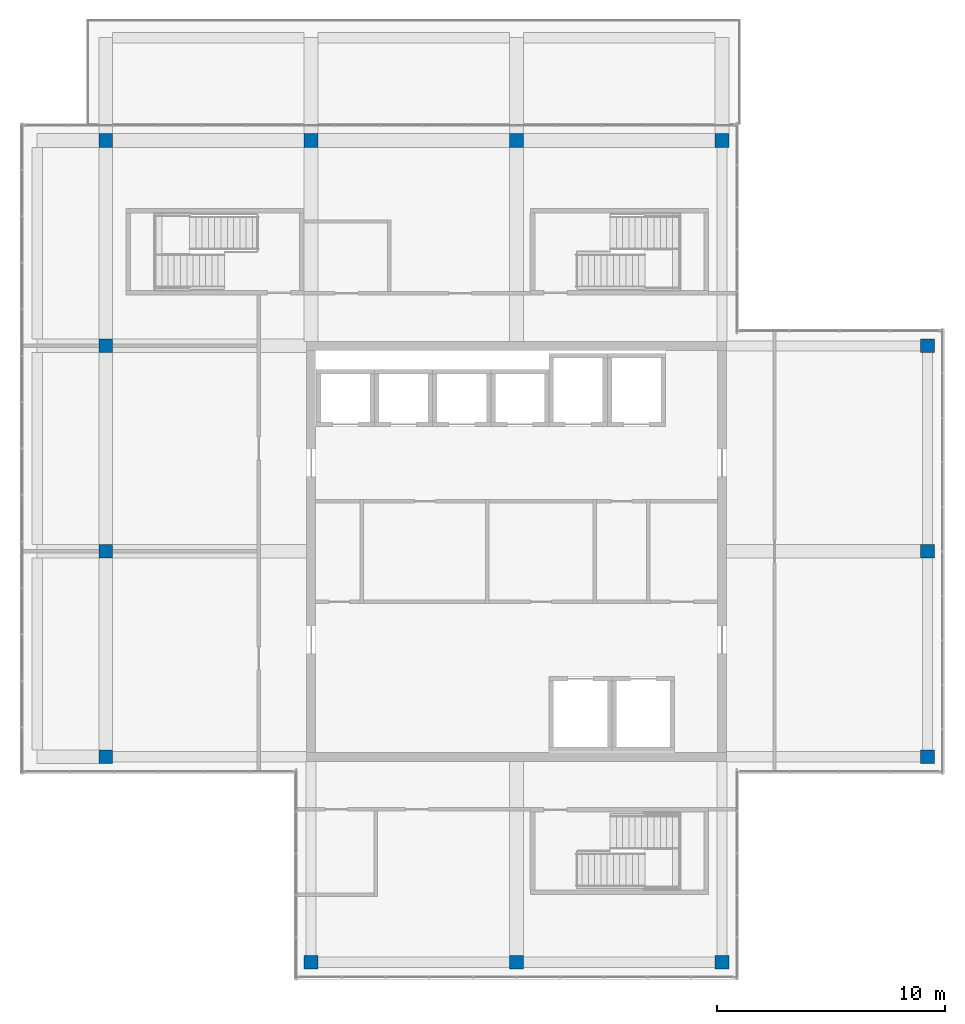
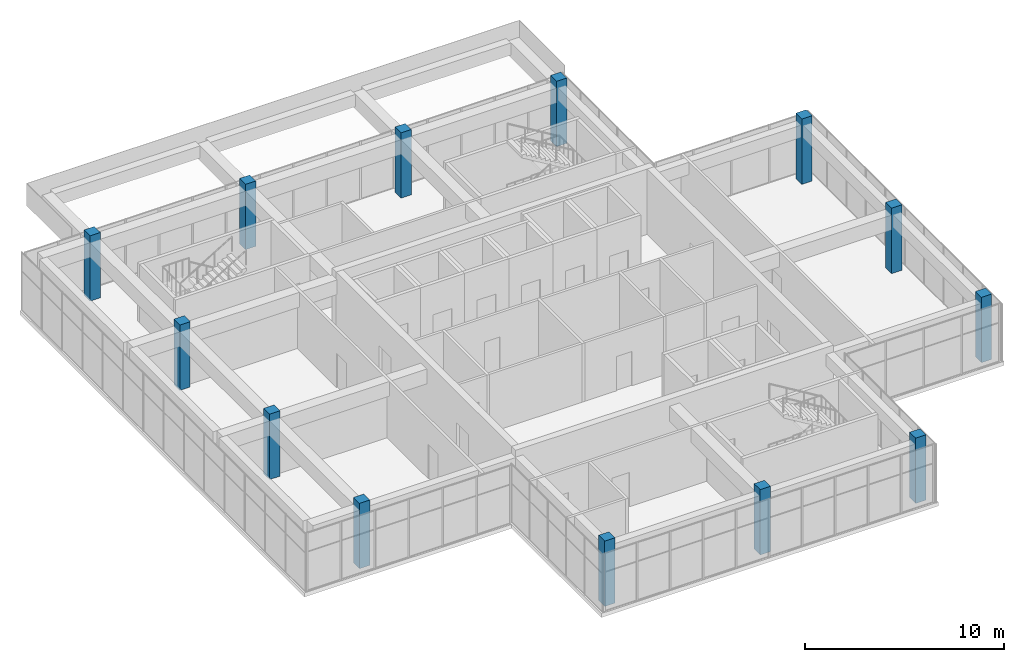
# One storey, part 1 of 35: 13 columns.
"""IFC4 building model written with IfcOpenShell, lengths in metres."""

import ifcopenshell
import ifcopenshell.guid

model = None  # the IFC model being written
_history = None  # IfcOwnerHistory: only IFC2X3 demands one
_inside = {}  # id of a spatial element -> (the spatial element, [elements in it])
_under = {}  # id of a project, library or spatial element -> (it, [spatial elements below it])
_declared = {}  # id of a project -> (the project, [libraries it declares])
_typed = {}  # id of a type object -> (the type object, [elements of that type])
_made_of = {}  # id of a material, layer set ... -> (it, [elements and type objects made of it])


def new_model(schema):
    """Start an empty IFC model of exactly this schema.

    Asked for "IFC4X3", IfcOpenShell would pick the latest addendum, in which some entities
    have other attributes; the version numbers below select the first issue.
    IFC2X3 requires an IfcOwnerHistory on every rooted entity: one is made here for all.
    """
    global model, _history
    if schema == "IFC4X3":
        model = ifcopenshell.file(schema_version=(4, 3, 0, 0))
    else:
        model = ifcopenshell.file(schema=schema)
    _inside.clear()
    _under.clear()
    _declared.clear()
    _typed.clear()
    _made_of.clear()
    _history = None
    if model.schema == "IFC2X3":
        org = make("IfcOrganization", Name="unknown")
        user = make(
            "IfcPersonAndOrganization",
            ThePerson=make("IfcPerson", FamilyName="unknown"),
            TheOrganization=org,
        )
        app = make(
            "IfcApplication",
            ApplicationDeveloper=org,
            Version="unknown",
            ApplicationFullName="unknown",
            ApplicationIdentifier="unknown",
        )
        _history = make(
            "IfcOwnerHistory",
            OwningUser=user,
            OwningApplication=app,
            ChangeAction="ADDED",
            CreationDate=0,
        )
    return model


def make(cls, **values):
    """One entity of the class cls with the attributes given. An attribute that is None is left unset."""
    return model.create_entity(
        cls, **{name: value for name, value in values.items() if value is not None}
    )


def rooted(cls, **values):
    """An entity with a GlobalId (a new one), such as an element, a storey or a relation."""
    return make(cls, GlobalId=ifcopenshell.guid.new(), OwnerHistory=_history, **values)


def si_unit(unit_type, name, prefix=None):
    """IfcSIUnit, for example si_unit("LENGTHUNIT", "METRE", prefix="MILLI")."""
    return make("IfcSIUnit", UnitType=unit_type, Prefix=prefix, Name=name)


def assignment(units):
    """IfcUnitAssignment: the units of a project."""
    return None if units is None else make("IfcUnitAssignment", Units=units)


def point(xyz):
    """IfcCartesianPoint."""
    return None if xyz is None else make("IfcCartesianPoint", Coordinates=xyz)


def direction(xyz):
    """IfcDirection."""
    return None if xyz is None else make("IfcDirection", DirectionRatios=xyz)


def frame(location, z_axis=None, x_axis=None):
    """IfcAxis2Placement3D, a coordinate frame: its origin and axes. An axis left out is left unset."""
    return make(
        "IfcAxis2Placement3D",
        Location=point(location),
        Axis=direction(z_axis),
        RefDirection=direction(x_axis),
    )


def frame_2d(location, x_axis=None):
    """IfcAxis2Placement2D, a coordinate frame in the plane: its origin and x axis."""
    return make(
        "IfcAxis2Placement2D", Location=point(location), RefDirection=direction(x_axis)
    )


def origin():
    """The frame at (0, 0, 0) with its axes left unset."""
    return frame((0.0, 0.0, 0.0))


def origin_2d():
    """The frame at (0, 0) in the plane with its x axis left unset."""
    return frame_2d((0.0, 0.0))


def place(relative_to, where):
    """IfcLocalPlacement: puts the frame where relative to a parent placement (None: the world)."""
    return make(
        "IfcLocalPlacement", PlacementRelTo=relative_to, RelativePlacement=where
    )


def context(
    kind, dimensions, precision=None, world=None, true_north=None, identifier=None
):
    """IfcGeometricRepresentationContext, for example the 3D "Model" context."""
    return make(
        "IfcGeometricRepresentationContext",
        ContextIdentifier=identifier,
        ContextType=kind,
        CoordinateSpaceDimension=dimensions,
        Precision=precision,
        WorldCoordinateSystem=world,
        TrueNorth=true_north,
    )


def subcontext(parent, identifier, kind, view, scale=None):
    """IfcGeometricRepresentationSubContext, for example "Body" below "Model"."""
    return make(
        "IfcGeometricRepresentationSubContext",
        ContextIdentifier=identifier,
        ContextType=kind,
        ParentContext=parent,
        TargetScale=scale,
        TargetView=view,
    )


def project(units=None, contexts=None):
    """IfcProject with its units and contexts."""
    return rooted(
        "IfcProject",
        Name="project",
        RepresentationContexts=contexts,
        UnitsInContext=assignment(units),
    )


def spatial(cls, under=None, at=None, **own):
    """A site, building, storey or space (cls), placed at a placement, below another one or the project."""
    s = rooted(cls, ObjectPlacement=at, **own)
    if under is not None:
        _under.setdefault(under.id(), (under, []))[1].append(s)
    return s


def profile(cls, at=None, kind="AREA", **sizes):
    """A parametric profile (cls). Its sizes go by their IFC names, for example OverallWidth=200.0."""
    return make(cls, ProfileType=kind, Position=at, **sizes)


def rectangle(**sizes):
    """IfcRectangleProfileDef."""
    return profile("IfcRectangleProfileDef", **sizes)


def extrude(swept, where, along, depth):
    """IfcExtrudedAreaSolid: the profile swept, set in the frame where, extruded along a direction by depth."""
    return make(
        "IfcExtrudedAreaSolid",
        SweptArea=swept,
        Position=where,
        ExtrudedDirection=direction(along),
        Depth=depth,
    )


def shape(context_of_items, identifier, shape_type, items):
    """IfcShapeRepresentation: the items that make up one representation, for example the "Body"."""
    return make(
        "IfcShapeRepresentation",
        ContextOfItems=context_of_items,
        RepresentationIdentifier=identifier,
        RepresentationType=shape_type,
        Items=items,
    )


def material(Name=None, Category=None):
    """IfcMaterial."""
    return make("IfcMaterial", Name=Name, Category=Category)


def material_profile(
    of_material, cross_section, Name=None, Category=None, Priority=None
):
    """IfcMaterialProfile: a cross section and its material."""
    return make(
        "IfcMaterialProfile",
        Name=Name,
        Material=of_material,
        Profile=cross_section,
        Priority=Priority,
        Category=Category,
    )


def profile_set(profiles, Name=None, composite=None):
    """IfcMaterialProfileSet."""
    return make(
        "IfcMaterialProfileSet",
        Name=Name,
        MaterialProfiles=profiles,
        CompositeProfile=composite,
    )


def made_of(thing, what):
    """Note that an element or type object is made of a material, layer set ...; save() writes the relation."""
    if what is not None:
        _made_of.setdefault(what.id(), (what, []))[1].append(thing)
    return thing


def type_object(cls, material=None, **own):
    """A type object (cls), such as IfcWallType, which elements share."""
    return made_of(rooted(cls, **own), material)


def element(
    cls,
    number,
    at=None,
    inside=None,
    cuts=None,
    type_object=None,
    material=None,
    context=None,
    identifier="Body",
    shape_type=None,
    held_by="IfcProductDefinitionShape",
    body=None,
    shapes=None,
    **own,
):
    """One element of the class cls, such as IfcWall. Its Tag is "e" and its number.

    at: its placement. inside: the storey or other place that contains it. cuts: it is an
    opening in that element (IfcRelVoidsElement). A single representation is given by context,
    identifier, shape_type and body (its items); several are given by shapes. held_by: the class
    of the entity that holds the representations. save() writes the other relations.
    """
    e = rooted(cls, Tag="e%d" % number, ObjectPlacement=at, **own)
    if body is not None:
        shapes = [shape(context, identifier, shape_type, body)]
    if shapes is not None:
        e.Representation = make(held_by, Representations=shapes)
    if inside is not None:
        _inside.setdefault(inside.id(), (inside, []))[1].append(e)
    if cuts is not None:
        rooted(
            "IfcRelVoidsElement", RelatingBuildingElement=cuts, RelatedOpeningElement=e
        )
    if type_object is not None:
        _typed.setdefault(type_object.id(), (type_object, []))[1].append(e)
    return made_of(e, material)


def aggregate(whole, parts):
    """IfcRelAggregates: a whole, such as a stair, and the parts it consists of."""
    return rooted("IfcRelAggregates", RelatingObject=whole, RelatedObjects=parts)


def save(model, path):
    """Write the relations noted so far, then the file.

    IfcRelAggregates (storeys below a building ...), IfcRelContainedInSpatialStructure (elements
    in a storey), IfcRelDefinesByType, IfcRelAssociatesMaterial and IfcRelDeclares: one each for
    every whole, place, type object, material and project.
    """
    for whole, parts in _under.values():
        aggregate(whole, parts)
    for where, things in _inside.values():
        rooted(
            "IfcRelContainedInSpatialStructure",
            RelatedElements=things,
            RelatingStructure=where,
        )
    for kind, things in _typed.values():
        rooted("IfcRelDefinesByType", RelatedObjects=things, RelatingType=kind)
    for what, things in _made_of.values():
        rooted("IfcRelAssociatesMaterial", RelatedObjects=things, RelatingMaterial=what)
    for by, libraries in _declared.values():
        rooted("IfcRelDeclares", RelatingContext=by, RelatedDefinitions=libraries)
    model.write(path)


model = new_model("IFC4")

# Units and contexts
model_context = context("Model", 3, precision=1e-05, world=origin(), true_north=direction((0.0, 1.0)))
body_context = subcontext(model_context, "Body", "Model", "MODEL_VIEW")
ifc_project = project(units=[si_unit("LENGTHUNIT", "METRE"), si_unit("AREAUNIT", "SQUARE_METRE"), si_unit("VOLUMEUNIT", "CUBIC_METRE"), si_unit("PLANEANGLEUNIT", "RADIAN"), si_unit("MASSUNIT", "GRAM", prefix="KILO")], contexts=[model_context])

# Site, building, storey
site_placement = place(None, origin())
site = spatial("IfcSite", under=ifc_project, at=site_placement, CompositionType="ELEMENT")
building_placement = place(site_placement, origin())
building = spatial("IfcBuilding", under=site, at=building_placement, Name="Tuart Plaza Theatre", CompositionType="ELEMENT")
storey_placement = place(building_placement, frame((0.0, 0.0, 49.5)))
storey = spatial("IfcBuildingStorey", under=building, at=storey_placement, Name="L12", CompositionType="ELEMENT", Elevation=49.5)

# Columns
ifc_material = material(Name="Concrete N40 (40 MPa)", Category="concrete")
ifc_material_profile = material_profile(ifc_material, rectangle(XDim=0.60009765625, YDim=0.60009765625, at=origin_2d()), Name="COLUMN 600x600 Concrete N40 (40 MPa)")
ifc_profile_set = profile_set([ifc_material_profile], Name="Concrete N40 (40 MPa)")
column_type = type_object("IfcColumnType", Name="COLUMN 600x600 Concrete N40 (40 MPa)", PredefinedType="COLUMN", material=ifc_profile_set)
for number, where, z_axis, x_axis, name in (
    (1, (114.0, 65.0, 0.0), (0.0, 0.0, 1.0), (1.0, 0.0, 0.0), "C80"),
    (2, (114.0, 74.0, 0.0), (0.0, 0.0, 1.0), (1.0, 0.0, 0.0), "C81"),
    (3, (114.0, 83.0, 0.0), (0.0, 0.0, 1.0), (1.0, 0.0, 0.0), "C82"),
    (4, (114.0, 92.0, 0.0), (0.0, 0.0, 1.0), (1.0, 0.0, 0.0), "C83"),
    (5, (123.0, 56.0, 0.0), (0.0, 0.0, 1.0), (1.0, 0.0, 0.0), "C84"),
    (6, (123.0, 92.0, 0.0), (0.0, 0.0, 1.0), (1.0, 0.0, 0.0), "C85"),
    (7, (132.0, 56.0, 0.0), (0.0, 0.0, 1.0), (1.0, 0.0, 0.0), "C86"),
    (8, (132.0, 92.0, 0.0), (0.0, 0.0, 1.0), (1.0, 0.0, 0.0), "C87"),
    (9, (141.0, 56.0, 0.0), (0.0, 0.0, 1.0), (1.0, 0.0, 0.0), "C88"),
    (10, (141.0, 92.0, 0.0), (0.0, 0.0, 1.0), (1.0, 0.0, 0.0), "C89"),
    (11, (150.0, 65.0, 0.0), (0.0, 0.0, 1.0), (1.0, 0.0, 0.0), "C90"),
    (12, (150.0, 74.0, 0.0), (0.0, 0.0, 1.0), (1.0, 0.0, 0.0), "C91"),
    (13, (150.0, 83.0, 0.0), (0.0, 0.0, 1.0), (1.0, 0.0, 0.0), "C92"),
):
    element("IfcColumn", number, at=place(storey_placement, frame(where, z_axis=z_axis, x_axis=x_axis)), inside=storey, type_object=column_type, Name=name, PredefinedType="COLUMN", context=body_context, shape_type="SweptSolid", body=[
        extrude(rectangle(XDim=0.60009765625, YDim=0.60009765625, at=origin_2d()), origin(), (0.0, 0.0, 1.0), 4.0),
    ])

save(model, "model.ifc")
